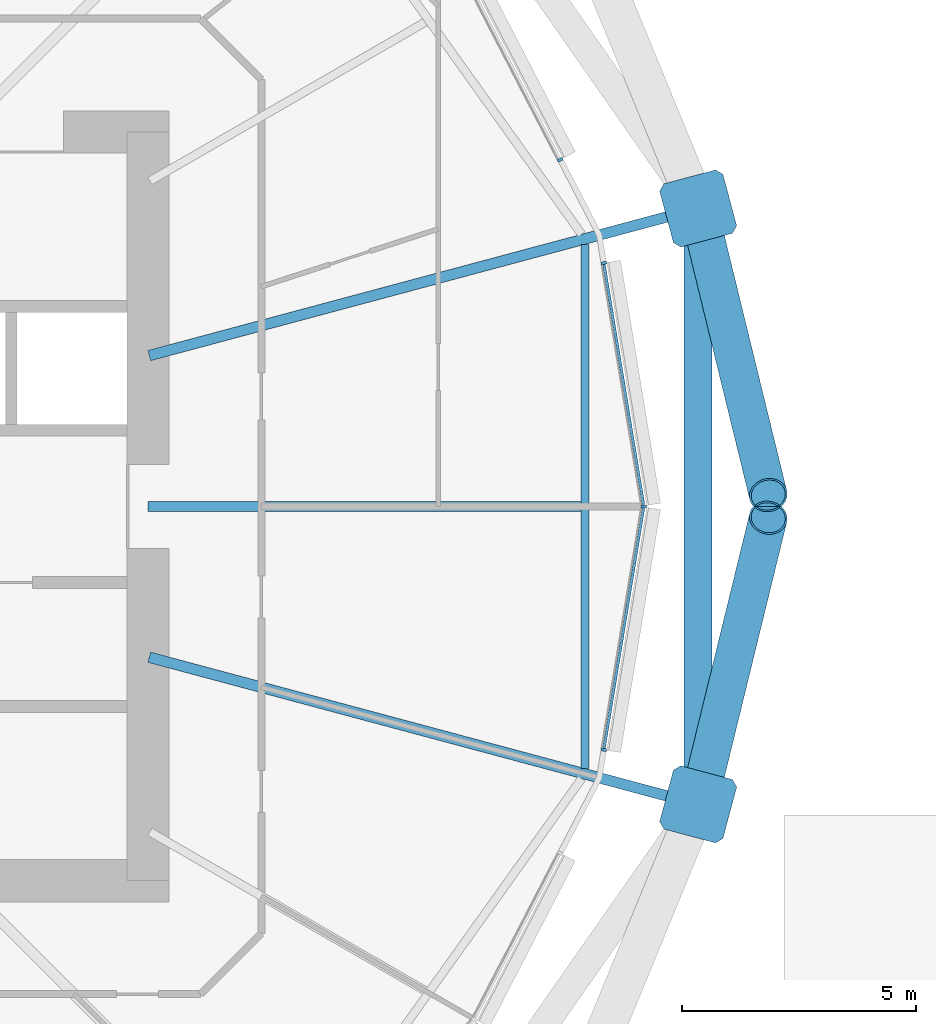
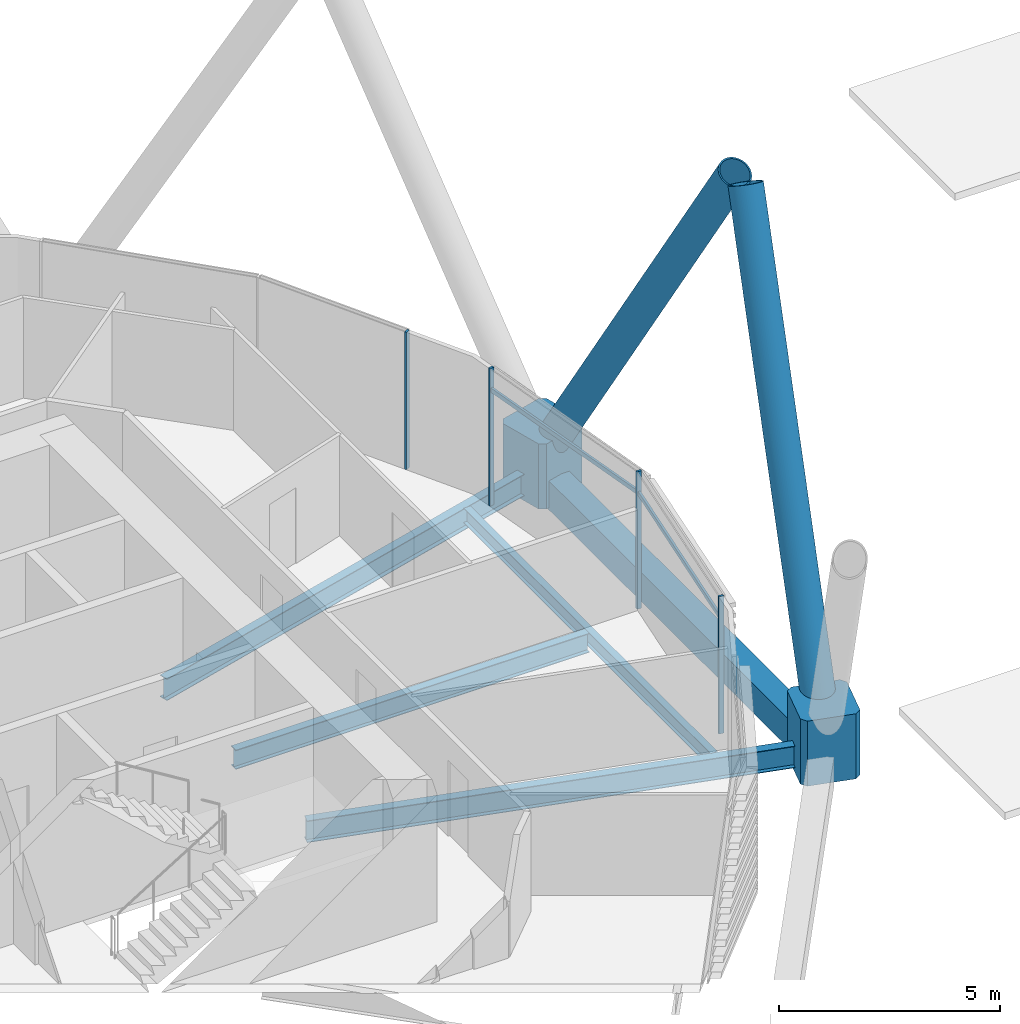
# One storey, part 8 of 34: 10 members, 5 beams, 1 element without a shape of its own.
"""IFC4 building model written with IfcOpenShell, lengths in metres."""

from ifc_helpers import new_model, si_unit, direction, frame, origin, origin_2d, place, context, subcontext, project, spatial, polyline, rectangle, hollow_rectangle, hollow_circle, i_section, outline, extrude, material, material_profile, profile_set, type_object, element, aggregate, save


model = new_model("IFC4")

# Units and contexts
model_context = context("Model", 3, precision=1e-05, world=origin(), true_north=direction((0.0, 1.0)))
body_context = subcontext(model_context, "Body", "Model", "MODEL_VIEW")
ifc_project = project(units=[si_unit("LENGTHUNIT", "METRE"), si_unit("AREAUNIT", "SQUARE_METRE"), si_unit("VOLUMEUNIT", "CUBIC_METRE"), si_unit("PLANEANGLEUNIT", "RADIAN"), si_unit("MASSUNIT", "GRAM", prefix="KILO")], contexts=[model_context])

# Site, building, storey
site_placement = place(None, origin())
site = spatial("IfcSite", under=ifc_project, at=site_placement, CompositionType="ELEMENT")
building_placement = place(site_placement, origin())
building = spatial("IfcBuilding", under=site, at=building_placement, Name="Rimbun Link Towers", CompositionType="ELEMENT")
storey_placement = place(building_placement, frame((0.0, 0.0, 41.39990234375)))
storey = spatial("IfcBuildingStorey", under=building, at=storey_placement, Name="L09", CompositionType="ELEMENT", Elevation=41.39990234375)

# Curtain wall, members
ifc_material_1 = material(Name="Aluminium 6063-T6 and low-iron glass", Category="aluminium")
curtain_wall_type = type_object("IfcCurtainWallType", Name="CW1 unitised vision wall", PredefinedType="NOTDEFINED", material=ifc_material_1)
curtain_wall_placement = place(storey_placement, origin())
curtain_wall = element("IfcCurtainWall", 1, at=curtain_wall_placement, inside=storey, type_object=curtain_wall_type, Name="CW1 L09 T1", PredefinedType="NOTDEFINED")
ifc_material_2 = material(Name="Aluminium 6063-T6", Category="aluminium")
ifc_material_profile_1 = material_profile(ifc_material_2, rectangle(XDim=0.1201171875, YDim=0.06005859375, at=origin_2d()), Name="MULLION 60X120")
ifc_profile_set_1 = profile_set([ifc_material_profile_1], Name="Aluminium 6063-T6")
member_type_1 = type_object("IfcMemberType", Name="CW1 mullion 60X120", PredefinedType="MULLION", material=ifc_profile_set_1)
member_1_placement = place(storey_placement, frame((-10.0029296875, 5.202880859375, 0.0), z_axis=(0.0, 0.0, 1.0), x_axis=(0.986748402691, 0.162257788061, 0.0)))
member_1 = element("IfcMember", 2, at=member_1_placement, type_object=member_type_1, Name="CW1 mullion", PredefinedType="MULLION", context=body_context, shape_type="SweptSolid", body=[
    extrude(rectangle(XDim=0.1201171875, YDim=0.06005859375, at=origin_2d()), origin(), (0.0, 0.0, 1.0), 3.800048828125),
])
member_2_placement = place(storey_placement, frame((-9.148193359375, 0.0, 0.0), z_axis=(0.0, 0.0, 1.0), x_axis=(1.0, 0.0, 0.0)))
member_2 = element("IfcMember", 3, at=member_2_placement, type_object=member_type_1, Name="CW1 mullion", PredefinedType="MULLION", context=body_context, shape_type="SweptSolid", body=[
    extrude(rectangle(XDim=0.1201171875, YDim=0.06005859375, at=origin_2d()), origin(), (0.0, 0.0, 1.0), 3.800048828125),
])
member_3_placement = place(storey_placement, frame((-10.933349609375, 7.411376953125, 0.0), z_axis=(0.0, 0.0, 1.0), x_axis=(0.888149357416, 0.459554913934, 0.0)))
member_3 = element("IfcMember", 4, at=member_3_placement, type_object=member_type_1, Name="CW1 mullion", PredefinedType="MULLION", context=body_context, shape_type="SweptSolid", body=[
    extrude(rectangle(XDim=0.1201171875, YDim=0.06005859375, at=origin_2d()), origin(), (0.0, 0.0, 1.0), 3.800048828125),
])
member_4_placement = place(storey_placement, frame((-10.0029296875, -5.202880859375, 0.0), z_axis=(0.0, 0.0, 1.0), x_axis=(0.986748402691, -0.162257788061, 0.0)))
member_4 = element("IfcMember", 5, at=member_4_placement, type_object=member_type_1, Name="CW1 mullion", PredefinedType="MULLION", context=body_context, shape_type="SweptSolid", body=[
    extrude(rectangle(XDim=0.1201171875, YDim=0.06005859375, at=origin_2d()), origin(), (0.0, 0.0, 1.0), 3.800048828125),
])
ifc_material_3 = material(Name="Aluminium 6063-T6", Category="aluminium")
ifc_material_profile_2 = material_profile(ifc_material_3, rectangle(XDim=0.06005859375, YDim=0.1201171875, at=origin_2d()), Name="TRANSOM 60X120")
ifc_profile_set_2 = profile_set([ifc_material_profile_2], Name="Aluminium 6063-T6")
member_type_2 = type_object("IfcMemberType", Name="CW1 transom 60X120", PredefinedType="USERDEFINED", material=ifc_profile_set_2)
member_5_placement = place(storey_placement, frame((-10.0, 5.1728515625, 3.2001953125), z_axis=(0.162267938212, -0.986746733579, 0.0), x_axis=(0.986746733579, 0.162267938212, 0.0)))
member_5 = element("IfcMember", 6, at=member_5_placement, type_object=member_type_2, Name="CW1 transom", ObjectType="TRANSOM", PredefinedType="USERDEFINED", context=body_context, shape_type="SweptSolid", body=[
    extrude(rectangle(XDim=0.06005859375, YDim=0.1201171875, at=origin_2d()), origin(), (0.0, 0.0, 1.0), 5.20263671875),
])
member_6_placement = place(storey_placement, frame((-9.15576171875, -0.0390625, 3.2001953125), z_axis=(-0.162267938212, -0.986746733579, 0.0), x_axis=(0.986746733579, -0.162267938212, 0.0)))
member_6 = element("IfcMember", 7, at=member_6_placement, type_object=member_type_2, Name="CW1 transom", ObjectType="TRANSOM", PredefinedType="USERDEFINED", context=body_context, shape_type="SweptSolid", body=[
    extrude(rectangle(XDim=0.06005859375, YDim=0.1201171875, at=origin_2d()), origin(), (0.0, 0.0, 1.0), 5.20263671875),
])
aggregate(curtain_wall, [member_1, member_2, member_3, member_4, member_5, member_6])

# Members
ifc_material_4 = material(Name="Steel S460NH", Category="steel")
ifc_material_profile_3 = material_profile(ifc_material_4, hollow_circle(Radius=0.406494140625, WallThickness=0.0400390625, at=origin_2d()), Name="Diagrid diagonal CHS 813x40")
ifc_profile_set_3 = profile_set([ifc_material_profile_3], Name="Steel S460NH")
member_type_3 = type_object("IfcMemberType", Name="Diagrid diagonal CHS 813x40", PredefinedType="BRACE", material=ifc_profile_set_3)
for number, where, z_axis, x_axis, name in (
    (8, (-7.927001953125, 6.12548828125, 0.43359375), (0.118411674369, -0.484215939069, 0.866898840537), (0.97137689408, 0.237543532111, 0.0), "Diagrid diagonal T1 L09-L12 01a"),
    (9, (-7.927001953125, -6.12548828125, 0.43359375), (0.118411674369, 0.484215939069, 0.866898840537), (-0.97137689408, 0.237543532111, 0.0), "Diagrid diagonal T1 L09-L12 23b"),
):
    element("IfcMember", number, at=place(storey_placement, frame(where, z_axis=z_axis, x_axis=x_axis)), inside=storey, type_object=member_type_3, Name=name, PredefinedType="BRACE", context=body_context, shape_type="SweptSolid", body=[
        extrude(hollow_circle(Radius=0.406494140625, WallThickness=0.0400390625, at=origin_2d()), origin(), (0.0, 0.0, 1.0), 12.150146484375),
    ])
ifc_material_5 = material(Name="Cast steel G20Mn5+QT, Rp0.2 300 MPa", Category="steel")
ifc_material_profile_4 = material_profile(ifc_material_5, outline(polyline([(0.699951171875, -0.570068359375), (0.699951171875, 0.570068359375), (0.570068359375, 0.699951171875), (-0.570068359375, 0.699951171875), (-0.699951171875, 0.570068359375), (-0.699951171875, -0.570068359375), (-0.570068359375, -0.699951171875), (0.570068359375, -0.699951171875), (0.699951171875, -0.570068359375)])), Name="NODE 1400x1400")
ifc_profile_set_4 = profile_set([ifc_material_profile_4], Name="Cast steel G20Mn5+QT, Rp0.2 300 MPa")
member_type_4 = type_object("IfcMemberType", Name="Diagrid node cast 1400", PredefinedType="USERDEFINED", material=ifc_profile_set_4)
for number, where, z_axis, x_axis, name in (
    (10, (-7.986083984375, 6.367431640625, -0.89990234375), (0.0, 0.0, 1.0), (0.965925826289, 0.258819045103, 0.0), "Diagrid node L09 01"),
    (11, (-7.986083984375, -6.367431640625, -0.89990234375), (0.0, 0.0, 1.0), (0.965925826289, -0.258819045103, 0.0), "Diagrid node L09 23"),
):
    element("IfcMember", number, at=place(storey_placement, frame(where, z_axis=z_axis, x_axis=x_axis)), inside=storey, type_object=member_type_4, Name=name, ObjectType="Diagrid node", PredefinedType="USERDEFINED", context=body_context, shape_type="SweptSolid", body=[
        extrude(outline(polyline([(0.699951171875, -0.570068359375), (0.699951171875, 0.570068359375), (0.570068359375, 0.699951171875), (-0.570068359375, 0.699951171875), (-0.699951171875, 0.570068359375), (-0.699951171875, -0.570068359375), (-0.570068359375, -0.699951171875), (0.570068359375, -0.699951171875), (0.699951171875, -0.570068359375)])), origin(), (0.0, 0.0, 1.0), 1.800048828125),
    ])

# Beams
ifc_material_6 = material(Name="Steel S355J2", Category="steel")
ifc_material_profile_5 = material_profile(ifc_material_6, hollow_rectangle(XDim=0.60009765625, YDim=0.800048828125, WallThickness=0.0400390625, at=origin_2d()), Name="Exoskeleton ring girder BOX 600x800x40")
ifc_profile_set_5 = profile_set([ifc_material_profile_5], Name="Steel S355J2")
beam_type_1 = type_object("IfcBeamType", Name="Exoskeleton ring girder BOX 600x800x40", PredefinedType="BEAM", material=ifc_profile_set_5)
beam_1_placement = place(storey_placement, frame((-7.986083984375, -5.66748046875, -0.559814453125), z_axis=(0.0, 1.0, 0.0), x_axis=(-1.0, 0.0, 0.0)))
element("IfcBeam", 12, at=beam_1_placement, inside=storey, type_object=beam_type_1, Name="Exoskeleton ring girder L09 09", PredefinedType="BEAM", context=body_context, shape_type="SweptSolid", body=[
    extrude(hollow_rectangle(XDim=0.60009765625, YDim=0.800048828125, WallThickness=0.0400390625, at=origin_2d()), origin(), (0.0, 0.0, 1.0), 11.3349609375),
])
ifc_material_7 = material(Name="Steel S355J2", Category="steel")
ifc_material_profile_6 = material_profile(ifc_material_7, i_section(OverallWidth=0.177978515625, OverallDepth=0.406494140625, WebThickness=0.0078125, FlangeThickness=0.0126953125, at=origin_2d()), Name="UB 406x178x60")
ifc_profile_set_6 = profile_set([ifc_material_profile_6], Name="Steel S355J2")
beam_type_2 = type_object("IfcBeamType", Name="UB 406x178x60", PredefinedType="BEAM", material=ifc_profile_set_6)
beam_2_placement = place(storey_placement, frame((-10.40673828125, -5.60009765625, -0.363037109375), z_axis=(0.0, 1.0, 0.0), x_axis=(-1.0, 0.0, 0.0)))
element("IfcBeam", 13, at=beam_2_placement, inside=storey, type_object=beam_type_2, Name="Edge beam T1 L09 23-01", PredefinedType="BEAM", context=body_context, shape_type="SweptSolid", body=[
    extrude(i_section(OverallWidth=0.177978515625, OverallDepth=0.406494140625, WebThickness=0.0078125, FlangeThickness=0.0126953125, at=origin_2d()), origin(), (0.0, 0.0, 1.0), 11.2001953125),
])
ifc_material_8 = material(Name="Steel S355J2", Category="steel")
ifc_material_profile_7 = material_profile(ifc_material_8, i_section(OverallWidth=0.209228515625, OverallDepth=0.533203125, WebThickness=0.010009765625, FlangeThickness=0.015625, at=origin_2d()), Name="UB 533x210x92")
ifc_profile_set_7 = profile_set([ifc_material_profile_7], Name="Steel S355J2")
beam_type_3 = type_object("IfcBeamType", Name="UB 533x210x92", PredefinedType="BEAM", material=ifc_profile_set_7)
beam_3_placement = place(storey_placement, frame((-19.7490234375, 0.0, -0.426513671875), z_axis=(1.0, 0.0, 0.0), x_axis=(0.0, 1.0, 0.0)))
element("IfcBeam", 14, at=beam_3_placement, inside=storey, type_object=beam_type_3, Name="Radial beam T1 L09 00", PredefinedType="BEAM", context=body_context, shape_type="SweptSolid", body=[
    extrude(i_section(OverallWidth=0.209228515625, OverallDepth=0.533203125, WebThickness=0.010009765625, FlangeThickness=0.015625, at=origin_2d()), origin(), (0.0, 0.0, 1.0), 9.25244140625),
])
ifc_material_9 = material(Name="Steel S355J2", Category="steel")
ifc_material_profile_8 = material_profile(ifc_material_9, i_section(OverallWidth=0.2275390625, OverallDepth=0.6025390625, WebThickness=0.010498046875, FlangeThickness=0.014892578125, at=origin_2d()), Name="UB 610x229x101")
ifc_profile_set_8 = profile_set([ifc_material_profile_8], Name="Steel S355J2")
beam_type_4 = type_object("IfcBeamType", Name="UB 610x229x101", PredefinedType="BEAM", material=ifc_profile_set_8)
for number, where, z_axis, x_axis, name in (
    (15, (-19.719482421875, 3.223388671875, -0.461181640625), (0.965923911926, 0.258826189498, 0.0), (-0.258826189498, 0.965923911926, 0.0), "Radial beam T1 L09 01"),
    (16, (-19.719482421875, -3.223388671875, -0.461181640625), (0.965923911926, -0.258826189498, 0.0), (0.258826189498, 0.965923911926, 0.0), "Radial beam T1 L09 23"),
):
    element("IfcBeam", number, at=place(storey_placement, frame(where, z_axis=z_axis, x_axis=x_axis)), inside=storey, type_object=beam_type_4, Name=name, PredefinedType="BEAM", context=body_context, shape_type="SweptSolid", body=[
        extrude(i_section(OverallWidth=0.2275390625, OverallDepth=0.6025390625, WebThickness=0.010498046875, FlangeThickness=0.014892578125, at=origin_2d()), origin(), (0.0, 0.0, 1.0), 11.6474609375),
    ])

save(model, "model.ifc")
